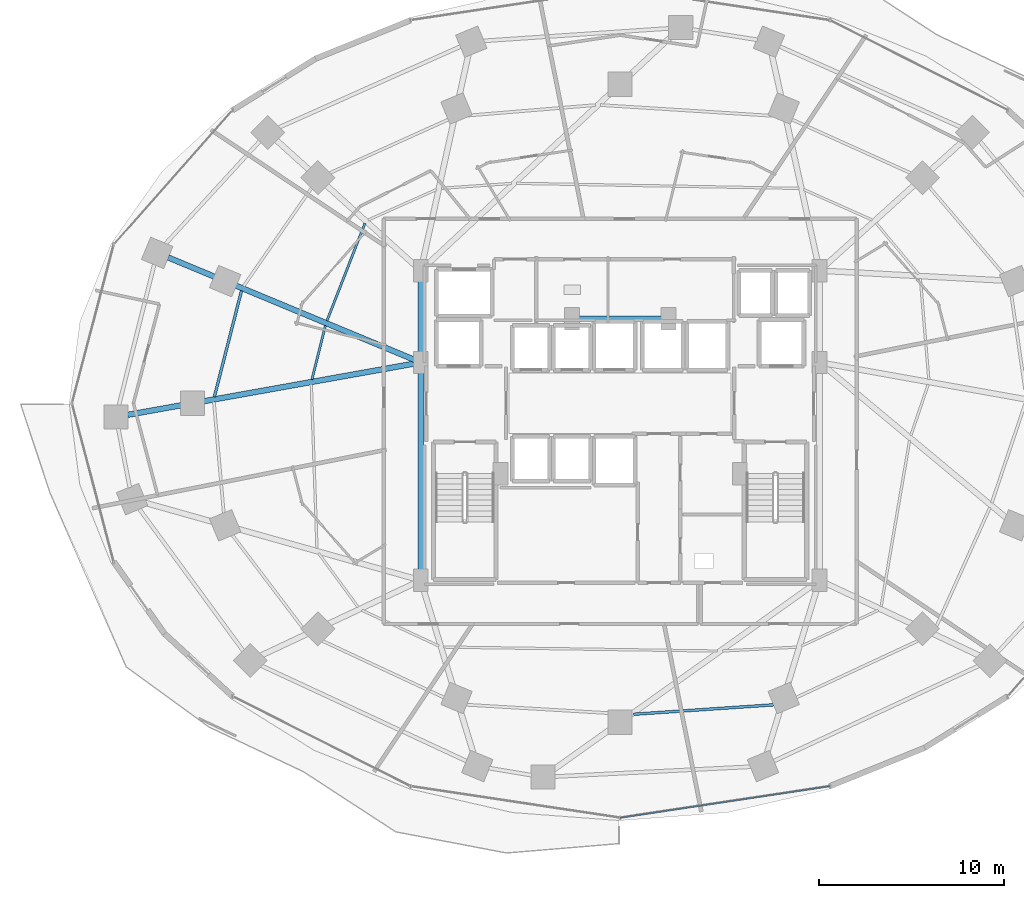
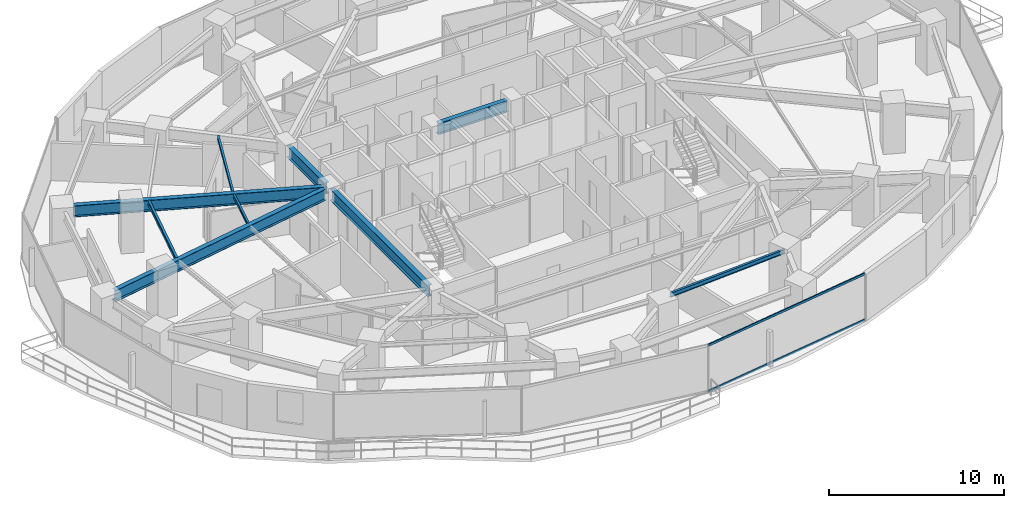
# One storey, part 10 of 33: 9 beams, 2 members, 1 element without a shape of its own.
"""IFC4 building model written with IfcOpenShell, lengths in metres."""

from ifc_helpers import new_model, si_unit, direction, frame, origin, origin_2d, place, context, subcontext, project, spatial, hollow_rectangle, i_section, extrude, material, material_profile, profile_set, type_object, element, aggregate, save


model = new_model("IFC4")

# Units and contexts
model_context = context("Model", 3, precision=1e-05, world=origin(), true_north=direction((0.0, 1.0)))
body_context = subcontext(model_context, "Body", "Model", "MODEL_VIEW")
ifc_project = project(units=[si_unit("LENGTHUNIT", "METRE"), si_unit("AREAUNIT", "SQUARE_METRE"), si_unit("VOLUMEUNIT", "CUBIC_METRE"), si_unit("PLANEANGLEUNIT", "RADIAN"), si_unit("MASSUNIT", "GRAM", prefix="KILO")], contexts=[model_context])

# Site, building, storey
site_placement = place(None, origin())
site = spatial("IfcSite", under=ifc_project, at=site_placement, CompositionType="ELEMENT")
building_placement = place(site_placement, origin())
building = spatial("IfcBuilding", under=site, at=building_placement, Name="Vorneva Point Tower", CompositionType="ELEMENT")
storey_placement = place(building_placement, frame((0.0, 0.0, 34.5)))
storey = spatial("IfcBuildingStorey", under=building, at=storey_placement, Name="L08", CompositionType="ELEMENT", Elevation=34.5)

# Beams
ifc_material_1 = material(Name="Steel S355", Category="steel")
ifc_material_profile_1 = material_profile(ifc_material_1, i_section(OverallWidth=0.300048828125, OverallDepth=0.7880859375, WebThickness=0.014404296875, FlangeThickness=0.02197265625, at=origin_2d()), Name="80Sh1")
ifc_profile_set_1 = profile_set([ifc_material_profile_1], Name="Steel S355")
beam_type_1 = type_object("IfcBeamType", Name="BM-GRD-80Sh1", PredefinedType="USERDEFINED", material=ifc_profile_set_1)
beam_1_placement = place(storey_placement, frame((13.62841796875, 33.860595703125, 2.845947265625), z_axis=(0.923441399183, -0.383739471874, 0.0), x_axis=(0.383739471874, 0.923441399183, 0.0)))
element("IfcBeam", 1, at=beam_1_placement, inside=storey, type_object=beam_type_1, Name="L08 Radial Primary Girder 08", ObjectType="GIRDER", PredefinedType="USERDEFINED", context=body_context, shape_type="SweptSolid", body=[
    extrude(i_section(OverallWidth=0.300048828125, OverallDepth=0.7880859375, WebThickness=0.014404296875, FlangeThickness=0.02197265625, at=origin_2d()), origin(), (0.0, 0.0, 1.0), 14.410888671875),
])
beam_2_placement = place(storey_placement, frame((11.44580078125, 25.373291015625, 2.845947265625), z_axis=(0.984378664832, 0.176064318428, 0.0), x_axis=(-0.176064318428, 0.984378664832, 0.0)))
element("IfcBeam", 2, at=beam_2_placement, inside=storey, type_object=beam_type_1, Name="L08 Radial Primary Girder 09", ObjectType="GIRDER", PredefinedType="USERDEFINED", context=body_context, shape_type="SweptSolid", body=[
    extrude(i_section(OverallWidth=0.300048828125, OverallDepth=0.7880859375, WebThickness=0.014404296875, FlangeThickness=0.02197265625, at=origin_2d()), origin(), (0.0, 0.0, 1.0), 15.715087890625),
])
beam_3_placement = place(storey_placement, frame((27.25, 16.77001953125, 2.845947265625), z_axis=(0.0, 1.0, 0.0), x_axis=(-1.0, 0.0, 0.0)))
element("IfcBeam", 3, at=beam_3_placement, inside=storey, type_object=beam_type_1, Name="L08 Core Tie Girder CT1", ObjectType="GIRDER", PredefinedType="USERDEFINED", context=body_context, shape_type="SweptSolid", body=[
    extrude(i_section(OverallWidth=0.300048828125, OverallDepth=0.7880859375, WebThickness=0.014404296875, FlangeThickness=0.02197265625, at=origin_2d()), origin(), (0.0, 0.0, 1.0), 11.10986328125),
])
beam_4_placement = place(storey_placement, frame((27.25, 28.52001953125, 2.845947265625), z_axis=(0.0, 1.0, 0.0), x_axis=(-1.0, 0.0, 0.0)))
element("IfcBeam", 4, at=beam_4_placement, inside=storey, type_object=beam_type_1, Name="L08 Core Tie Girder CT2", ObjectType="GIRDER", PredefinedType="USERDEFINED", context=body_context, shape_type="SweptSolid", body=[
    extrude(i_section(OverallWidth=0.300048828125, OverallDepth=0.7880859375, WebThickness=0.014404296875, FlangeThickness=0.02197265625, at=origin_2d()), origin(), (0.0, 0.0, 1.0), 4.31005859375),
])
beam_5_placement = place(storey_placement, frame((35.719970703125, 30.550048828125, 2.845947265625), z_axis=(1.0, 0.0, 0.0), x_axis=(0.0, 1.0, 0.0)))
element("IfcBeam", 5, at=beam_5_placement, inside=storey, type_object=beam_type_1, Name="L08 Core Tie Girder CT8", ObjectType="GIRDER", PredefinedType="USERDEFINED", context=body_context, shape_type="SweptSolid", body=[
    extrude(i_section(OverallWidth=0.300048828125, OverallDepth=0.7880859375, WebThickness=0.014404296875, FlangeThickness=0.02197265625, at=origin_2d()), origin(), (0.0, 0.0, 1.0), 4.56005859375),
])
ifc_material_profile_2 = material_profile(ifc_material_1, i_section(OverallWidth=0.1240234375, OverallDepth=0.248046875, WebThickness=0.0048828125, FlangeThickness=0.008056640625, at=origin_2d()), Name="25B1")
ifc_profile_set_2 = profile_set([ifc_material_profile_2], Name="Steel S355")
beam_type_2 = type_object("IfcBeamType", Name="BM-JST-25B1", PredefinedType="JOIST", material=ifc_profile_set_2)
beam_6_placement = place(storey_placement, frame((24.23974609375, 35.6953125, 3.115966796875), z_axis=(-0.363151415934, -0.931730137489, 0.0), x_axis=(0.931730137489, -0.363151415934, 0.0)))
element("IfcBeam", 6, at=beam_6_placement, inside=storey, type_object=beam_type_2, Name="L08 Secondary Floor Beam 2.07", PredefinedType="JOIST", context=body_context, shape_type="SweptSolid", body=[
    extrude(i_section(OverallWidth=0.1240234375, OverallDepth=0.248046875, WebThickness=0.0048828125, FlangeThickness=0.008056640625, at=origin_2d()), origin(), (0.0, 0.0, 1.0), 5.629638671875),
])
beam_7_placement = place(storey_placement, frame((22.111572265625, 30.1875, 3.115966796875), z_axis=(-0.243875659039, -0.969806507984, 0.0), x_axis=(0.969806507984, -0.243875659039, 0.0)))
element("IfcBeam", 7, at=beam_7_placement, inside=storey, type_object=beam_type_2, Name="L08 Secondary Floor Beam 2.08", PredefinedType="JOIST", context=body_context, shape_type="SweptSolid", body=[
    extrude(i_section(OverallWidth=0.1240234375, OverallDepth=0.248046875, WebThickness=0.0048828125, FlangeThickness=0.008056640625, at=origin_2d()), origin(), (0.0, 0.0, 1.0), 3.000244140625),
])
ifc_material_profile_3 = material_profile(ifc_material_1, i_section(OverallWidth=0.14892578125, OverallDepth=0.298095703125, WebThickness=0.005615234375, FlangeThickness=0.008056640625, at=origin_2d()), Name="30B1")
ifc_profile_set_3 = profile_set([ifc_material_profile_3], Name="Steel S355")
beam_type_3 = type_object("IfcBeamType", Name="BM-JST-30B1", PredefinedType="JOIST", material=ifc_profile_set_3)
beam_8_placement = place(storey_placement, frame((17.58642578125, 32.06787109375, 3.091064453125), z_axis=(-0.247756675765, -0.968822290007, 0.0), x_axis=(0.968822290007, -0.247756675765, 0.0)))
element("IfcBeam", 8, at=beam_8_placement, inside=storey, type_object=beam_type_3, Name="L08 Secondary Floor Beam 1.08", PredefinedType="JOIST", context=body_context, shape_type="SweptSolid", body=[
    extrude(i_section(OverallWidth=0.14892578125, OverallDepth=0.298095703125, WebThickness=0.005615234375, FlangeThickness=0.008056640625, at=origin_2d()), origin(), (0.0, 0.0, 1.0), 5.915283203125),
])
beam_9_placement = place(storey_placement, frame((38.731689453125, 9.23193359375, 3.091064453125), z_axis=(0.997743904339, 0.06713494883, 0.0), x_axis=(-0.06713494883, 0.997743904339, 0.0)))
element("IfcBeam", 9, at=beam_9_placement, inside=storey, type_object=beam_type_3, Name="L08 Secondary Floor Beam 1.13", PredefinedType="JOIST", context=body_context, shape_type="SweptSolid", body=[
    extrude(i_section(OverallWidth=0.14892578125, OverallDepth=0.298095703125, WebThickness=0.005615234375, FlangeThickness=0.008056640625, at=origin_2d()), origin(), (0.0, 0.0, 1.0), 7.865966796875),
])

# Curtain wall, members
ifc_material_2 = material(Name="Pale anodised aluminium", Category="aluminium")
curtain_wall_type = type_object("IfcCurtainWallType", Name="CW-HTL-SYS", PredefinedType="NOTDEFINED", material=ifc_material_2)
curtain_wall_placement = place(storey_placement, origin())
curtain_wall = element("IfcCurtainWall", 10, at=curtain_wall_placement, inside=storey, type_object=curtain_wall_type, Name="L08 Unitised Curtain Wall CW-L08-R04", PredefinedType="NOTDEFINED")
ifc_material_profile_4 = material_profile(ifc_material_2, hollow_rectangle(XDim=0.074951171875, YDim=0.14990234375, WallThickness=0.00390625, at=origin_2d()), Name="AL-TRN 150x75x4")
ifc_profile_set_4 = profile_set([ifc_material_profile_4], Name="Pale anodised aluminium")
member_type = type_object("IfcMemberType", Name="CW-TRN-150", PredefinedType="USERDEFINED", material=ifc_profile_set_4)
member_1_placement = place(storey_placement, frame((38.0, 3.64990234375, 0.02001953125), z_axis=(0.988870014575, 0.148782036131, 0.0), x_axis=(-0.148782036131, 0.988870014575, 0.0)))
member_1 = element("IfcMember", 11, at=member_1_placement, type_object=member_type, Name="CW-L08-R04 Transom 03.1", ObjectType="TRANSOM", PredefinedType="USERDEFINED", context=body_context, shape_type="SweptSolid", body=[
    extrude(hollow_rectangle(XDim=0.074951171875, YDim=0.14990234375, WallThickness=0.00390625, at=origin_2d()), origin(), (0.0, 0.0, 1.0), 11.435546875),
])
member_2_placement = place(storey_placement, frame((38.0, 3.64990234375, 3.219970703125), z_axis=(0.988870014575, 0.148782036131, 0.0), x_axis=(-0.148782036131, 0.988870014575, 0.0)))
member_2 = element("IfcMember", 12, at=member_2_placement, type_object=member_type, Name="CW-L08-R04 Transom 03.2", ObjectType="TRANSOM", PredefinedType="USERDEFINED", context=body_context, shape_type="SweptSolid", body=[
    extrude(hollow_rectangle(XDim=0.074951171875, YDim=0.14990234375, WallThickness=0.00390625, at=origin_2d()), origin(), (0.0, 0.0, 1.0), 11.435546875),
])
aggregate(curtain_wall, [member_1, member_2])

save(model, "model.ifc")
